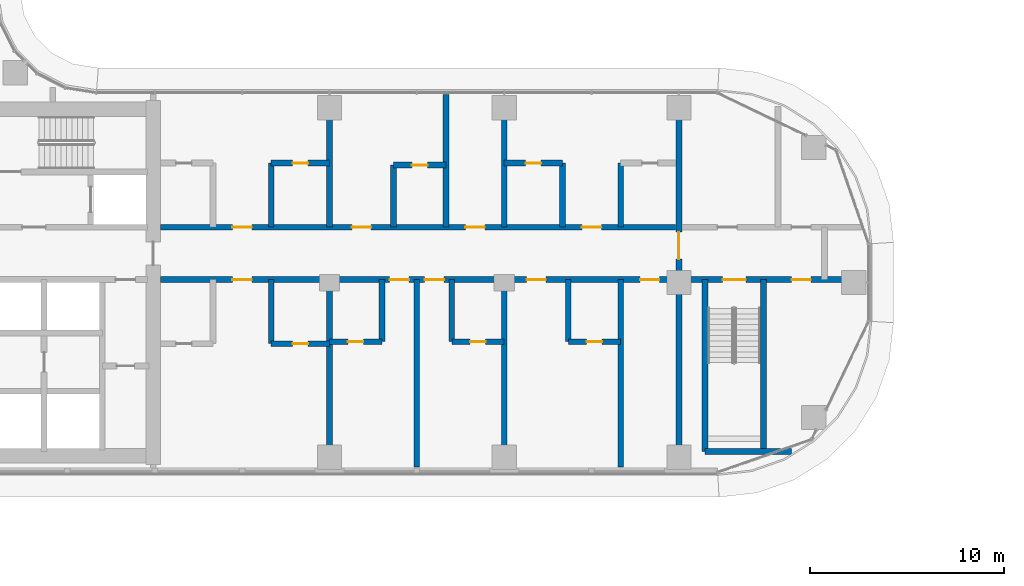
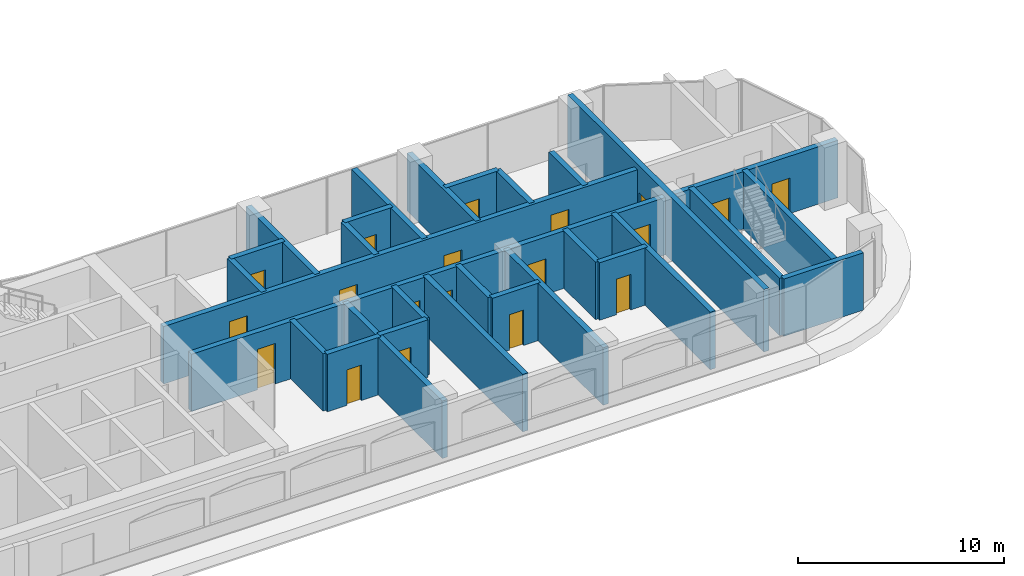
# One storey, part 22 of 40: 29 walls, 19 doors, 19 openings.
"""IFC4 building model written with IfcOpenShell, lengths in metres."""

from ifc_helpers import new_model, si_unit, direction, frame, frame_2d, origin, place, context, subcontext, project, spatial, rectangle, extrude, material, layer, layer_set, type_object, element, fill, save


model = new_model("IFC4")

# Units and contexts
model_context = context("Model", 3, precision=1e-05, world=origin(), true_north=direction((0.0, 1.0)))
body_context = subcontext(model_context, "Body", "Model", "MODEL_VIEW")
ifc_project = project(units=[si_unit("LENGTHUNIT", "METRE"), si_unit("AREAUNIT", "SQUARE_METRE"), si_unit("VOLUMEUNIT", "CUBIC_METRE"), si_unit("PLANEANGLEUNIT", "RADIAN"), si_unit("MASSUNIT", "GRAM", prefix="KILO")], contexts=[model_context])

# Site, building, storey
site_placement = place(None, origin())
site = spatial("IfcSite", under=ifc_project, at=site_placement, CompositionType="ELEMENT")
building_placement = place(site_placement, origin())
building = spatial("IfcBuilding", under=site, at=building_placement, Name="Ogive Portal Towers", CompositionType="ELEMENT")
storey_placement = place(building_placement, frame((0.0, 0.0, 87.10009765625)))
storey = spatial("IfcBuildingStorey", under=building, at=storey_placement, Name="L20", CompositionType="ELEMENT", Elevation=87.10009765625)

# Wall, opening, door
ifc_material_1 = material(Name="Concrete C60/75", Category="concrete")
ifc_layer_1 = layer(ifc_material_1, 0.300048828125)
ifc_layer_set_1 = layer_set([ifc_layer_1], Name="REVEAL WALL 300 C60")
wall_type_1 = type_object("IfcWallType", Name="REVEAL WALL 300 C60", PredefinedType="SHEAR", material=ifc_layer_set_1)
wall_1_placement = place(storey_placement, frame((85.5, 20.9951171875, 0.0), z_axis=(0.0, 0.0, 1.0), x_axis=(0.0, 1.0, 0.0)))
wall_1 = element("IfcWall", 1, at=wall_1_placement, inside=storey, type_object=wall_type_1, Name="Portal reveal wall L20", PredefinedType="SHEAR", context=body_context, shape_type="SweptSolid", body=[
    extrude(rectangle(XDim=19.009765625, YDim=0.300048828125, at=frame_2d((9.5048828125, 0.0))), origin(), (0.0, 0.0, 1.0), 3.699951171875),
])
opening_1_placement = place(wall_1_placement, frame((10.705078125, 0.0, 0.0)))
opening_1 = element("IfcOpeningElement", 2, at=opening_1_placement, cuts=wall_1, Name="Opening D07-066", PredefinedType="OPENING", context=body_context, shape_type="SweptSolid", body=[
    extrude(rectangle(XDim=1.39990234375, YDim=2.10009765625, at=frame_2d((0.699951171875, 1.050048828125))), frame((0.0, 0.16015625, 0.0), z_axis=(0.0, -1.0, 0.0), x_axis=(1.0, 0.0, 0.0)), (0.0, 0.0, 1.0), 0.320068359375),
])
ifc_material_2 = material(Name="Steel fire door", Category="steel")
door_type_1 = type_object("IfcDoorType", Name="DT-STAIR-1400x2100-FD90S", OperationType="SINGLE_SWING_LEFT", PredefinedType="DOOR", material=ifc_material_2)
door_1_placement = place(opening_1_placement, origin())
door_1 = element("IfcDoor", 3, at=door_1_placement, inside=storey, type_object=door_type_1, Name="Door D07-066", OperationType="SINGLE_SWING_RIGHT", OverallHeight=2.10009765625, OverallWidth=1.39990234375, PredefinedType="DOOR", context=body_context, shape_type="SweptSolid", body=[
    extrude(rectangle(XDim=1.39990234375, YDim=2.10009765625, at=frame_2d((0.699951171875, 1.050048828125))), frame((0.0, 0.02490234375, 0.0), z_axis=(0.0, -1.0, 0.0), x_axis=(1.0, 0.0, 0.0)), (0.0, 0.0, 1.0), 0.050048828125),
])
fill(opening_1, door_1)

# Wall
ifc_material_3 = material(Name="Concrete C50/60", Category="concrete")
ifc_layer_2 = layer(ifc_material_3, 0.300048828125)
ifc_layer_set_2 = layer_set([ifc_layer_2], Name="STAIR WALL 300 C50")
wall_type_2 = type_object("IfcWallType", Name="STAIR WALL 300 C50", PredefinedType="SHEAR", material=ifc_layer_set_2)
wall_2_placement = place(storey_placement, frame((86.85009765625, 21.800048828125, 0.0), z_axis=(0.0, 0.0, 1.0), x_axis=(1.0, 0.0, 0.0)))
element("IfcWall", 4, at=wall_2_placement, inside=storey, type_object=wall_type_2, Name="Stair wall ST-A4 L20", PredefinedType="SHEAR", context=body_context, shape_type="SweptSolid", body=[
    extrude(rectangle(XDim=4.4599609375, YDim=0.300048828125, at=frame_2d((2.22998046875, 0.0))), origin(), (0.0, 0.0, 1.0), 3.39990234375),
])

# Wall, openings, doors
wall_3_placement = place(storey_placement, frame((85.669921875, 30.64990234375, 0.0), z_axis=(0.0, 0.0, 1.0), x_axis=(1.0, 0.0, 0.0)))
wall_3 = element("IfcWall", 5, at=wall_3_placement, inside=storey, type_object=wall_type_2, Name="Stair wall ST-A4 L20", PredefinedType="SHEAR", context=body_context, shape_type="SweptSolid", body=[
    extrude(rectangle(XDim=9.3349609375, YDim=0.300048828125, at=frame_2d((4.66748046875, 0.0))), origin(), (0.0, 0.0, 1.0), 3.39990234375),
])
opening_2_placement = place(wall_3_placement, frame((2.080078125, 0.0, 0.0)))
opening_2 = element("IfcOpeningElement", 6, at=opening_2_placement, cuts=wall_3, Name="Opening D07-061", PredefinedType="OPENING", context=body_context, shape_type="SweptSolid", body=[
    extrude(rectangle(XDim=1.199951171875, YDim=2.10009765625, at=frame_2d((0.60009765625, 1.050048828125))), frame((0.0, 0.16015625, 0.0), z_axis=(0.0, -1.0, 0.0), x_axis=(1.0, 0.0, 0.0)), (0.0, 0.0, 1.0), 0.320068359375),
])
opening_3_placement = place(wall_3_placement, frame((5.6298828125, 0.0, 0.0)))
opening_3 = element("IfcOpeningElement", 7, at=opening_3_placement, cuts=wall_3, Name="Opening D07-064", PredefinedType="OPENING", context=body_context, shape_type="SweptSolid", body=[
    extrude(rectangle(XDim=1.0, YDim=2.10009765625, at=frame_2d((0.5, 1.050048828125))), frame((0.0, 0.16015625, 0.0), z_axis=(0.0, -1.0, 0.0), x_axis=(1.0, 0.0, 0.0)), (0.0, 0.0, 1.0), 0.320068359375),
])
door_type_2 = type_object("IfcDoorType", Name="DT-SERVICE-1000x2100-FD90S", OperationType="SINGLE_SWING_LEFT", PredefinedType="DOOR", material=ifc_material_2)
door_2_placement = place(opening_3_placement, origin())
door_2 = element("IfcDoor", 8, at=door_2_placement, inside=storey, type_object=door_type_2, Name="Door D07-064", OperationType="SINGLE_SWING_LEFT", OverallHeight=2.10009765625, OverallWidth=1.0, PredefinedType="DOOR", context=body_context, shape_type="SweptSolid", body=[
    extrude(rectangle(XDim=1.0, YDim=2.10009765625, at=frame_2d((0.5, 1.050048828125))), frame((0.0, 0.02490234375, 0.0), z_axis=(0.0, -1.0, 0.0), x_axis=(1.0, 0.0, 0.0)), (0.0, 0.0, 1.0), 0.050048828125),
])
fill(opening_3, door_2)
door_type_3 = type_object("IfcDoorType", Name="DT-STAIR-1200x2100-FD90S", OperationType="SINGLE_SWING_LEFT", PredefinedType="DOOR", material=ifc_material_2)
door_3_placement = place(opening_2_placement, origin())
door_3 = element("IfcDoor", 9, at=door_3_placement, inside=storey, type_object=door_type_3, Name="Door D07-061", OperationType="SINGLE_SWING_LEFT", OverallHeight=2.10009765625, OverallWidth=1.199951171875, PredefinedType="DOOR", context=body_context, shape_type="SweptSolid", body=[
    extrude(rectangle(XDim=1.199951171875, YDim=2.10009765625, at=frame_2d((0.60009765625, 1.050048828125))), frame((0.0, 0.02490234375, 0.0), z_axis=(0.0, -1.0, 0.0), x_axis=(1.0, 0.0, 0.0)), (0.0, 0.0, 1.0), 0.050048828125),
])
fill(opening_2, door_3)

# Walls
for number, where, z_axis, x_axis, name in (
    (10, (86.85009765625, 21.800048828125, 0.0), (0.0, 0.0, 1.0), (0.0, 1.0, 0.0), "Stair wall ST-A4 L20"),
    (11, (89.85009765625, 21.800048828125, 0.0), (0.0, 0.0, 1.0), (0.0, 1.0, 0.0), "Stair wall ST-A4 L20"),
):
    element("IfcWall", number, at=place(storey_placement, frame(where, z_axis=z_axis, x_axis=x_axis)), inside=storey, type_object=wall_type_2, Name=name, PredefinedType="SHEAR", context=body_context, shape_type="SweptSolid", body=[
        extrude(rectangle(XDim=8.849853515625, YDim=0.300048828125, at=frame_2d((4.4248046875, 0.0))), origin(), (0.0, 0.0, 1.0), 3.39990234375),
    ])

# Wall, openings, doors
ifc_material_4 = material(Name="Gypsum board partition on steel studs", Category="steel")
ifc_layer_3 = layer(ifc_material_4, 0.300048828125)
ifc_layer_set_3 = layer_set([ifc_layer_3], Name="WT-PART-300-EI 120")
wall_type_3 = type_object("IfcWallType", Name="WT-PART-300-EI 120", PredefinedType="PARTITIONING", material=ifc_layer_set_3)
wall_4_placement = place(storey_placement, frame((58.800048828125, 30.64990234375, 0.0), z_axis=(0.0, 0.0, 1.0), x_axis=(1.0, 0.0, 0.0)))
wall_4 = element("IfcWall", 12, at=wall_4_placement, inside=storey, type_object=wall_type_3, Name="Wall L20:w007", PredefinedType="PARTITIONING", context=body_context, shape_type="SweptSolid", body=[
    extrude(rectangle(XDim=26.530029296875, YDim=0.300048828125, at=frame_2d((13.26513671875, 0.0))), origin(), (0.0, 0.0, 1.0), 3.39990234375),
])
opening_4_placement = place(wall_4_placement, frame((3.699951171875, 0.0, 0.0)))
opening_4 = element("IfcOpeningElement", 13, at=opening_4_placement, cuts=wall_4, Name="Opening D07-031", PredefinedType="OPENING", context=body_context, shape_type="SweptSolid", body=[
    extrude(rectangle(XDim=1.0, YDim=2.39990234375, at=frame_2d((0.5, 1.199951171875))), frame((0.0, 0.16015625, 0.0), z_axis=(0.0, -1.0, 0.0), x_axis=(1.0, 0.0, 0.0)), (0.0, 0.0, 1.0), 0.320068359375),
])
opening_5_placement = place(wall_4_placement, frame((11.800048828125, 0.0, 0.0)))
opening_5 = element("IfcOpeningElement", 14, at=opening_5_placement, cuts=wall_4, Name="Opening D07-036", PredefinedType="OPENING", context=body_context, shape_type="SweptSolid", body=[
    extrude(rectangle(XDim=1.0, YDim=2.10009765625, at=frame_2d((0.5, 1.050048828125))), frame((0.0, 0.16015625, 0.0), z_axis=(0.0, -1.0, 0.0), x_axis=(1.0, 0.0, 0.0)), (0.0, 0.0, 1.0), 0.320068359375),
])
opening_6_placement = place(wall_4_placement, frame((13.60009765625, 0.0, 0.0)))
opening_6 = element("IfcOpeningElement", 15, at=opening_6_placement, cuts=wall_4, Name="Opening D07-038", PredefinedType="OPENING", context=body_context, shape_type="SweptSolid", body=[
    extrude(rectangle(XDim=1.0, YDim=2.10009765625, at=frame_2d((0.5, 1.050048828125))), frame((0.0, 0.16015625, 0.0), z_axis=(0.0, -1.0, 0.0), x_axis=(1.0, 0.0, 0.0)), (0.0, 0.0, 1.0), 0.320068359375),
])
opening_7_placement = place(wall_4_placement, frame((18.85009765625, 0.0, 0.0)))
opening_7 = element("IfcOpeningElement", 16, at=opening_7_placement, cuts=wall_4, Name="Opening D07-043", PredefinedType="OPENING", context=body_context, shape_type="SweptSolid", body=[
    extrude(rectangle(XDim=1.0, YDim=2.10009765625, at=frame_2d((0.5, 1.050048828125))), frame((0.0, 0.16015625, 0.0), z_axis=(0.0, -1.0, 0.0), x_axis=(1.0, 0.0, 0.0)), (0.0, 0.0, 1.0), 0.320068359375),
])
opening_8_placement = place(wall_4_placement, frame((24.699951171875, 0.0, 0.0)))
opening_8 = element("IfcOpeningElement", 17, at=opening_8_placement, cuts=wall_4, Name="Opening D07-044", PredefinedType="OPENING", context=body_context, shape_type="SweptSolid", body=[
    extrude(rectangle(XDim=1.0, YDim=2.10009765625, at=frame_2d((0.5, 1.050048828125))), frame((0.0, 0.16015625, 0.0), z_axis=(0.0, -1.0, 0.0), x_axis=(1.0, 0.0, 0.0)), (0.0, 0.0, 1.0), 0.320068359375),
])
door_type_4 = type_object("IfcDoorType", Name="DT-ENTRY-1000x2100-FD90S", OperationType="SINGLE_SWING_LEFT", PredefinedType="DOOR", material=ifc_material_2)
door_4_placement = place(opening_5_placement, origin())
door_4 = element("IfcDoor", 18, at=door_4_placement, inside=storey, type_object=door_type_4, Name="Door D07-036", OperationType="SINGLE_SWING_LEFT", OverallHeight=2.10009765625, OverallWidth=1.0, PredefinedType="DOOR", context=body_context, shape_type="SweptSolid", body=[
    extrude(rectangle(XDim=1.0, YDim=2.10009765625, at=frame_2d((0.5, 1.050048828125))), frame((0.0, 0.02490234375, 0.0), z_axis=(0.0, -1.0, 0.0), x_axis=(1.0, 0.0, 0.0)), (0.0, 0.0, 1.0), 0.050048828125),
])
fill(opening_5, door_4)
door_5_placement = place(opening_6_placement, origin())
door_5 = element("IfcDoor", 19, at=door_5_placement, inside=storey, type_object=door_type_4, Name="Door D07-038", OperationType="SINGLE_SWING_RIGHT", OverallHeight=2.10009765625, OverallWidth=1.0, PredefinedType="DOOR", context=body_context, shape_type="SweptSolid", body=[
    extrude(rectangle(XDim=1.0, YDim=2.10009765625, at=frame_2d((0.5, 1.050048828125))), frame((0.0, 0.02490234375, 0.0), z_axis=(0.0, -1.0, 0.0), x_axis=(1.0, 0.0, 0.0)), (0.0, 0.0, 1.0), 0.050048828125),
])
fill(opening_6, door_5)
door_6_placement = place(opening_7_placement, origin())
door_6 = element("IfcDoor", 20, at=door_6_placement, inside=storey, type_object=door_type_4, Name="Door D07-043", OperationType="SINGLE_SWING_LEFT", OverallHeight=2.10009765625, OverallWidth=1.0, PredefinedType="DOOR", context=body_context, shape_type="SweptSolid", body=[
    extrude(rectangle(XDim=1.0, YDim=2.10009765625, at=frame_2d((0.5, 1.050048828125))), frame((0.0, 0.02490234375, 0.0), z_axis=(0.0, -1.0, 0.0), x_axis=(1.0, 0.0, 0.0)), (0.0, 0.0, 1.0), 0.050048828125),
])
fill(opening_7, door_6)
door_7_placement = place(opening_8_placement, origin())
door_7 = element("IfcDoor", 21, at=door_7_placement, inside=storey, type_object=door_type_4, Name="Door D07-044", OperationType="SINGLE_SWING_LEFT", OverallHeight=2.10009765625, OverallWidth=1.0, PredefinedType="DOOR", context=body_context, shape_type="SweptSolid", body=[
    extrude(rectangle(XDim=1.0, YDim=2.10009765625, at=frame_2d((0.5, 1.050048828125))), frame((0.0, 0.02490234375, 0.0), z_axis=(0.0, -1.0, 0.0), x_axis=(1.0, 0.0, 0.0)), (0.0, 0.0, 1.0), 0.050048828125),
])
fill(opening_8, door_7)
door_type_5 = type_object("IfcDoorType", Name="DT-ENTRY-1000x2400-FD90S", OperationType="SINGLE_SWING_LEFT", PredefinedType="DOOR", material=ifc_material_2)
door_8_placement = place(opening_4_placement, origin())
door_8 = element("IfcDoor", 22, at=door_8_placement, inside=storey, type_object=door_type_5, Name="Door D07-031", OperationType="SINGLE_SWING_LEFT", OverallHeight=2.39990234375, OverallWidth=1.0, PredefinedType="DOOR", context=body_context, shape_type="SweptSolid", body=[
    extrude(rectangle(XDim=1.0, YDim=2.39990234375, at=frame_2d((0.5, 1.199951171875))), frame((0.0, 0.02490234375, 0.0), z_axis=(0.0, -1.0, 0.0), x_axis=(1.0, 0.0, 0.0)), (0.0, 0.0, 1.0), 0.050048828125),
])
fill(opening_4, door_8)

wall_5_placement = place(storey_placement, frame((58.800048828125, 33.35009765625, 0.0), z_axis=(0.0, 0.0, 1.0), x_axis=(1.0, 0.0, 0.0)))
wall_5 = element("IfcWall", 23, at=wall_5_placement, inside=storey, type_object=wall_type_3, Name="Wall L20:w009", PredefinedType="PARTITIONING", context=body_context, shape_type="SweptSolid", body=[
    extrude(rectangle(XDim=26.530029296875, YDim=0.300048828125, at=frame_2d((13.26513671875, 0.0))), origin(), (0.0, 0.0, 1.0), 3.39990234375),
])
opening_9_placement = place(wall_5_placement, frame((3.699951171875, 0.0, 0.0)))
opening_9 = element("IfcOpeningElement", 24, at=opening_9_placement, cuts=wall_5, Name="Opening D07-028", PredefinedType="OPENING", context=body_context, shape_type="SweptSolid", body=[
    extrude(rectangle(XDim=1.0, YDim=2.39990234375, at=frame_2d((0.5, 1.199951171875))), frame((0.0, 0.16015625, 0.0), z_axis=(0.0, -1.0, 0.0), x_axis=(1.0, 0.0, 0.0)), (0.0, 0.0, 1.0), 0.320068359375),
])
opening_10_placement = place(wall_5_placement, frame((9.85009765625, 0.0, 0.0)))
opening_10 = element("IfcOpeningElement", 25, at=opening_10_placement, cuts=wall_5, Name="Opening D07-033", PredefinedType="OPENING", context=body_context, shape_type="SweptSolid", body=[
    extrude(rectangle(XDim=1.0, YDim=2.10009765625, at=frame_2d((0.5, 1.050048828125))), frame((0.0, 0.16015625, 0.0), z_axis=(0.0, -1.0, 0.0), x_axis=(1.0, 0.0, 0.0)), (0.0, 0.0, 1.0), 0.320068359375),
])
opening_11_placement = place(wall_5_placement, frame((15.699951171875, 0.0, 0.0)))
opening_11 = element("IfcOpeningElement", 26, at=opening_11_placement, cuts=wall_5, Name="Opening D07-034", PredefinedType="OPENING", context=body_context, shape_type="SweptSolid", body=[
    extrude(rectangle(XDim=1.0, YDim=2.10009765625, at=frame_2d((0.5, 1.050048828125))), frame((0.0, 0.16015625, 0.0), z_axis=(0.0, -1.0, 0.0), x_axis=(1.0, 0.0, 0.0)), (0.0, 0.0, 1.0), 0.320068359375),
])
opening_12_placement = place(wall_5_placement, frame((21.699951171875, 0.0, 0.0)))
opening_12 = element("IfcOpeningElement", 27, at=opening_12_placement, cuts=wall_5, Name="Opening D07-041", PredefinedType="OPENING", context=body_context, shape_type="SweptSolid", body=[
    extrude(rectangle(XDim=1.0, YDim=2.39990234375, at=frame_2d((0.5, 1.199951171875))), frame((0.0, 0.16015625, 0.0), z_axis=(0.0, -1.0, 0.0), x_axis=(1.0, 0.0, 0.0)), (0.0, 0.0, 1.0), 0.320068359375),
])
door_9_placement = place(opening_10_placement, origin())
door_9 = element("IfcDoor", 28, at=door_9_placement, inside=storey, type_object=door_type_4, Name="Door D07-033", OperationType="SINGLE_SWING_LEFT", OverallHeight=2.10009765625, OverallWidth=1.0, PredefinedType="DOOR", context=body_context, shape_type="SweptSolid", body=[
    extrude(rectangle(XDim=1.0, YDim=2.10009765625, at=frame_2d((0.5, 1.050048828125))), frame((0.0, 0.02490234375, 0.0), z_axis=(0.0, -1.0, 0.0), x_axis=(1.0, 0.0, 0.0)), (0.0, 0.0, 1.0), 0.050048828125),
])
fill(opening_10, door_9)
door_10_placement = place(opening_11_placement, origin())
door_10 = element("IfcDoor", 29, at=door_10_placement, inside=storey, type_object=door_type_4, Name="Door D07-034", OperationType="SINGLE_SWING_RIGHT", OverallHeight=2.10009765625, OverallWidth=1.0, PredefinedType="DOOR", context=body_context, shape_type="SweptSolid", body=[
    extrude(rectangle(XDim=1.0, YDim=2.10009765625, at=frame_2d((0.5, 1.050048828125))), frame((0.0, 0.02490234375, 0.0), z_axis=(0.0, -1.0, 0.0), x_axis=(1.0, 0.0, 0.0)), (0.0, 0.0, 1.0), 0.050048828125),
])
fill(opening_11, door_10)
door_11_placement = place(opening_9_placement, origin())
door_11 = element("IfcDoor", 30, at=door_11_placement, inside=storey, type_object=door_type_5, Name="Door D07-028", OperationType="SINGLE_SWING_LEFT", OverallHeight=2.39990234375, OverallWidth=1.0, PredefinedType="DOOR", context=body_context, shape_type="SweptSolid", body=[
    extrude(rectangle(XDim=1.0, YDim=2.39990234375, at=frame_2d((0.5, 1.199951171875))), frame((0.0, 0.02490234375, 0.0), z_axis=(0.0, -1.0, 0.0), x_axis=(1.0, 0.0, 0.0)), (0.0, 0.0, 1.0), 0.050048828125),
])
fill(opening_9, door_11)
door_12_placement = place(opening_12_placement, origin())
door_12 = element("IfcDoor", 31, at=door_12_placement, inside=storey, type_object=door_type_5, Name="Door D07-041", OperationType="SINGLE_SWING_LEFT", OverallHeight=2.39990234375, OverallWidth=1.0, PredefinedType="DOOR", context=body_context, shape_type="SweptSolid", body=[
    extrude(rectangle(XDim=1.0, YDim=2.39990234375, at=frame_2d((0.5, 1.199951171875))), frame((0.0, 0.02490234375, 0.0), z_axis=(0.0, -1.0, 0.0), x_axis=(1.0, 0.0, 0.0)), (0.0, 0.0, 1.0), 0.050048828125),
])
fill(opening_12, door_12)

# Wall, opening, door
ifc_layer_4 = layer(ifc_material_4, 0.300048828125)
ifc_layer_set_4 = layer_set([ifc_layer_4], Name="WT-PART-300-EI 60")
wall_type_4 = type_object("IfcWallType", Name="WT-PART-300-EI 60", PredefinedType="PARTITIONING", material=ifc_layer_set_4)
wall_6_placement = place(storey_placement, frame((64.5, 27.35009765625, 0.0), z_axis=(0.0, 0.0, 1.0), x_axis=(1.0, 0.0, 0.0)))
wall_6 = element("IfcWall", 32, at=wall_6_placement, inside=storey, type_object=wall_type_4, Name="Wall L20:w003", PredefinedType="PARTITIONING", context=body_context, shape_type="SweptSolid", body=[
    extrude(rectangle(XDim=3.0, YDim=0.300048828125, at=frame_2d((1.5, 0.0))), origin(), (0.0, 0.0, 1.0), 3.39990234375),
])
opening_13_placement = place(wall_6_placement, frame((1.10009765625, 0.0, 0.0)))
opening_13 = element("IfcOpeningElement", 33, at=opening_13_placement, cuts=wall_6, Name="Opening D07-030", PredefinedType="OPENING", context=body_context, shape_type="SweptSolid", body=[
    extrude(rectangle(XDim=0.800048828125, YDim=2.10009765625, at=frame_2d((0.39990234375, 1.050048828125))), frame((0.0, 0.16015625, 0.0), z_axis=(0.0, -1.0, 0.0), x_axis=(1.0, 0.0, 0.0)), (0.0, 0.0, 1.0), 0.320068359375),
])
door_type_6 = type_object("IfcDoorType", Name="DT-BATH-800x2100-FD60S", OperationType="SINGLE_SWING_LEFT", PredefinedType="DOOR", material=ifc_material_2)
door_13_placement = place(opening_13_placement, origin())
door_13 = element("IfcDoor", 34, at=door_13_placement, inside=storey, type_object=door_type_6, Name="Door D07-030", OperationType="SINGLE_SWING_RIGHT", OverallHeight=2.10009765625, OverallWidth=0.800048828125, PredefinedType="DOOR", context=body_context, shape_type="SweptSolid", body=[
    extrude(rectangle(XDim=0.800048828125, YDim=2.10009765625, at=frame_2d((0.39990234375, 1.050048828125))), frame((0.0, 0.02490234375, 0.0), z_axis=(0.0, -1.0, 0.0), x_axis=(1.0, 0.0, 0.0)), (0.0, 0.0, 1.0), 0.050048828125),
])
fill(opening_13, door_13)

wall_7_placement = place(storey_placement, frame((67.5, 27.449951171875, 0.0), z_axis=(0.0, 0.0, 1.0), x_axis=(1.0, 0.0, 0.0)))
wall_7 = element("IfcWall", 35, at=wall_7_placement, inside=storey, type_object=wall_type_4, Name="Wall L20:w004", PredefinedType="PARTITIONING", context=body_context, shape_type="SweptSolid", body=[
    extrude(rectangle(XDim=2.699951171875, YDim=0.300048828125, at=frame_2d((1.35009765625, 0.0))), origin(), (0.0, 0.0, 1.0), 3.39990234375),
])
opening_14_placement = place(wall_7_placement, frame((0.949951171875, 0.0, 0.0)))
opening_14 = element("IfcOpeningElement", 36, at=opening_14_placement, cuts=wall_7, Name="Opening D07-035", PredefinedType="OPENING", context=body_context, shape_type="SweptSolid", body=[
    extrude(rectangle(XDim=0.800048828125, YDim=2.10009765625, at=frame_2d((0.39990234375, 1.050048828125))), frame((0.0, 0.16015625, 0.0), z_axis=(0.0, -1.0, 0.0), x_axis=(1.0, 0.0, 0.0)), (0.0, 0.0, 1.0), 0.320068359375),
])
door_14_placement = place(opening_14_placement, origin())
door_14 = element("IfcDoor", 37, at=door_14_placement, inside=storey, type_object=door_type_6, Name="Door D07-035", OperationType="SINGLE_SWING_LEFT", OverallHeight=2.10009765625, OverallWidth=0.800048828125, PredefinedType="DOOR", context=body_context, shape_type="SweptSolid", body=[
    extrude(rectangle(XDim=0.800048828125, YDim=2.10009765625, at=frame_2d((0.39990234375, 1.050048828125))), frame((0.0, 0.02490234375, 0.0), z_axis=(0.0, -1.0, 0.0), x_axis=(1.0, 0.0, 0.0)), (0.0, 0.0, 1.0), 0.050048828125),
])
fill(opening_14, door_14)

wall_8_placement = place(storey_placement, frame((73.800048828125, 27.449951171875, 0.0), z_axis=(0.0, 0.0, 1.0), x_axis=(1.0, 0.0, 0.0)))
wall_8 = element("IfcWall", 38, at=wall_8_placement, inside=storey, type_object=wall_type_4, Name="Wall L20:w005", PredefinedType="PARTITIONING", context=body_context, shape_type="SweptSolid", body=[
    extrude(rectangle(XDim=2.699951171875, YDim=0.300048828125, at=frame_2d((1.35009765625, 0.0))), origin(), (0.0, 0.0, 1.0), 3.39990234375),
])
opening_15_placement = place(wall_8_placement, frame((0.949951171875, 0.0, 0.0)))
opening_15 = element("IfcOpeningElement", 39, at=opening_15_placement, cuts=wall_8, Name="Opening D07-037", PredefinedType="OPENING", context=body_context, shape_type="SweptSolid", body=[
    extrude(rectangle(XDim=0.800048828125, YDim=2.10009765625, at=frame_2d((0.39990234375, 1.050048828125))), frame((0.0, 0.16015625, 0.0), z_axis=(0.0, -1.0, 0.0), x_axis=(1.0, 0.0, 0.0)), (0.0, 0.0, 1.0), 0.320068359375),
])
door_15_placement = place(opening_15_placement, origin())
door_15 = element("IfcDoor", 40, at=door_15_placement, inside=storey, type_object=door_type_6, Name="Door D07-037", OperationType="SINGLE_SWING_LEFT", OverallHeight=2.10009765625, OverallWidth=0.800048828125, PredefinedType="DOOR", context=body_context, shape_type="SweptSolid", body=[
    extrude(rectangle(XDim=0.800048828125, YDim=2.10009765625, at=frame_2d((0.39990234375, 1.050048828125))), frame((0.0, 0.02490234375, 0.0), z_axis=(0.0, -1.0, 0.0), x_axis=(1.0, 0.0, 0.0)), (0.0, 0.0, 1.0), 0.050048828125),
])
fill(opening_15, door_15)

wall_9_placement = place(storey_placement, frame((79.800048828125, 27.449951171875, 0.0), z_axis=(0.0, 0.0, 1.0), x_axis=(1.0, 0.0, 0.0)))
wall_9 = element("IfcWall", 41, at=wall_9_placement, inside=storey, type_object=wall_type_4, Name="Wall L20:w006", PredefinedType="PARTITIONING", context=body_context, shape_type="SweptSolid", body=[
    extrude(rectangle(XDim=2.699951171875, YDim=0.300048828125, at=frame_2d((1.35009765625, 0.0))), origin(), (0.0, 0.0, 1.0), 3.39990234375),
])
opening_16_placement = place(wall_9_placement, frame((0.949951171875, 0.0, 0.0)))
opening_16 = element("IfcOpeningElement", 42, at=opening_16_placement, cuts=wall_9, Name="Opening D07-042", PredefinedType="OPENING", context=body_context, shape_type="SweptSolid", body=[
    extrude(rectangle(XDim=0.800048828125, YDim=2.10009765625, at=frame_2d((0.39990234375, 1.050048828125))), frame((0.0, 0.16015625, 0.0), z_axis=(0.0, -1.0, 0.0), x_axis=(1.0, 0.0, 0.0)), (0.0, 0.0, 1.0), 0.320068359375),
])
door_16_placement = place(opening_16_placement, origin())
door_16 = element("IfcDoor", 43, at=door_16_placement, inside=storey, type_object=door_type_6, Name="Door D07-042", OperationType="SINGLE_SWING_RIGHT", OverallHeight=2.10009765625, OverallWidth=0.800048828125, PredefinedType="DOOR", context=body_context, shape_type="SweptSolid", body=[
    extrude(rectangle(XDim=0.800048828125, YDim=2.10009765625, at=frame_2d((0.39990234375, 1.050048828125))), frame((0.0, 0.02490234375, 0.0), z_axis=(0.0, -1.0, 0.0), x_axis=(1.0, 0.0, 0.0)), (0.0, 0.0, 1.0), 0.050048828125),
])
fill(opening_16, door_16)

wall_10_placement = place(storey_placement, frame((70.800048828125, 36.550048828125, 0.0), z_axis=(0.0, 0.0, 1.0), x_axis=(1.0, 0.0, 0.0)))
wall_10 = element("IfcWall", 44, at=wall_10_placement, inside=storey, type_object=wall_type_4, Name="Wall L20:w011", PredefinedType="PARTITIONING", context=body_context, shape_type="SweptSolid", body=[
    extrude(rectangle(XDim=2.699951171875, YDim=0.300048828125, at=frame_2d((1.35009765625, 0.0))), origin(), (0.0, 0.0, 1.0), 3.39990234375),
])
opening_17_placement = place(wall_10_placement, frame((0.949951171875, 0.0, 0.0)))
opening_17 = element("IfcOpeningElement", 45, at=opening_17_placement, cuts=wall_10, Name="Opening D07-032", PredefinedType="OPENING", context=body_context, shape_type="SweptSolid", body=[
    extrude(rectangle(XDim=0.800048828125, YDim=2.10009765625, at=frame_2d((0.39990234375, 1.050048828125))), frame((0.0, 0.16015625, 0.0), z_axis=(0.0, -1.0, 0.0), x_axis=(1.0, 0.0, 0.0)), (0.0, 0.0, 1.0), 0.320068359375),
])
door_17_placement = place(opening_17_placement, origin())
door_17 = element("IfcDoor", 46, at=door_17_placement, inside=storey, type_object=door_type_6, Name="Door D07-032", OperationType="SINGLE_SWING_LEFT", OverallHeight=2.10009765625, OverallWidth=0.800048828125, PredefinedType="DOOR", context=body_context, shape_type="SweptSolid", body=[
    extrude(rectangle(XDim=0.800048828125, YDim=2.10009765625, at=frame_2d((0.39990234375, 1.050048828125))), frame((0.0, 0.02490234375, 0.0), z_axis=(0.0, -1.0, 0.0), x_axis=(1.0, 0.0, 0.0)), (0.0, 0.0, 1.0), 0.050048828125),
])
fill(opening_17, door_17)

wall_11_placement = place(storey_placement, frame((64.5, 36.64990234375, 0.0), z_axis=(0.0, 0.0, 1.0), x_axis=(1.0, 0.0, 0.0)))
wall_11 = element("IfcWall", 47, at=wall_11_placement, inside=storey, type_object=wall_type_4, Name="Wall L20:w013", PredefinedType="PARTITIONING", context=body_context, shape_type="SweptSolid", body=[
    extrude(rectangle(XDim=3.0, YDim=0.300048828125, at=frame_2d((1.5, 0.0))), origin(), (0.0, 0.0, 1.0), 3.39990234375),
])
opening_18_placement = place(wall_11_placement, frame((1.10009765625, 0.0, 0.0)))
opening_18 = element("IfcOpeningElement", 48, at=opening_18_placement, cuts=wall_11, Name="Opening D07-027", PredefinedType="OPENING", context=body_context, shape_type="SweptSolid", body=[
    extrude(rectangle(XDim=0.800048828125, YDim=2.10009765625, at=frame_2d((0.39990234375, 1.050048828125))), frame((0.0, 0.16015625, 0.0), z_axis=(0.0, -1.0, 0.0), x_axis=(1.0, 0.0, 0.0)), (0.0, 0.0, 1.0), 0.320068359375),
])
door_18_placement = place(opening_18_placement, origin())
door_18 = element("IfcDoor", 49, at=door_18_placement, inside=storey, type_object=door_type_6, Name="Door D07-027", OperationType="SINGLE_SWING_RIGHT", OverallHeight=2.10009765625, OverallWidth=0.800048828125, PredefinedType="DOOR", context=body_context, shape_type="SweptSolid", body=[
    extrude(rectangle(XDim=0.800048828125, YDim=2.10009765625, at=frame_2d((0.39990234375, 1.050048828125))), frame((0.0, 0.02490234375, 0.0), z_axis=(0.0, -1.0, 0.0), x_axis=(1.0, 0.0, 0.0)), (0.0, 0.0, 1.0), 0.050048828125),
])
fill(opening_18, door_18)

wall_12_placement = place(storey_placement, frame((76.5, 36.64990234375, 0.0), z_axis=(0.0, 0.0, 1.0), x_axis=(1.0, 0.0, 0.0)))
wall_12 = element("IfcWall", 50, at=wall_12_placement, inside=storey, type_object=wall_type_4, Name="Wall L20:w014", PredefinedType="PARTITIONING", context=body_context, shape_type="SweptSolid", body=[
    extrude(rectangle(XDim=3.0, YDim=0.300048828125, at=frame_2d((1.5, 0.0))), origin(), (0.0, 0.0, 1.0), 3.39990234375),
])
opening_19_placement = place(wall_12_placement, frame((1.10009765625, 0.0, 0.0)))
opening_19 = element("IfcOpeningElement", 51, at=opening_19_placement, cuts=wall_12, Name="Opening D07-039", PredefinedType="OPENING", context=body_context, shape_type="SweptSolid", body=[
    extrude(rectangle(XDim=0.800048828125, YDim=2.10009765625, at=frame_2d((0.39990234375, 1.050048828125))), frame((0.0, 0.16015625, 0.0), z_axis=(0.0, -1.0, 0.0), x_axis=(1.0, 0.0, 0.0)), (0.0, 0.0, 1.0), 0.320068359375),
])
door_19_placement = place(opening_19_placement, origin())
door_19 = element("IfcDoor", 52, at=door_19_placement, inside=storey, type_object=door_type_6, Name="Door D07-039", OperationType="SINGLE_SWING_RIGHT", OverallHeight=2.10009765625, OverallWidth=0.800048828125, PredefinedType="DOOR", context=body_context, shape_type="SweptSolid", body=[
    extrude(rectangle(XDim=0.800048828125, YDim=2.10009765625, at=frame_2d((0.39990234375, 1.050048828125))), frame((0.0, 0.02490234375, 0.0), z_axis=(0.0, -1.0, 0.0), x_axis=(1.0, 0.0, 0.0)), (0.0, 0.0, 1.0), 0.050048828125),
])
fill(opening_19, door_19)

# Walls
for number, where, z_axis, x_axis, name in (
    (53, (64.5, 27.35009765625, 0.0), (0.0, 0.0, 1.0), (0.0, 1.0, 0.0), "Wall L20:w046"),
    (54, (64.5, 33.35009765625, 0.0), (0.0, 0.0, 1.0), (0.0, 1.0, 0.0), "Wall L20:w047"),
):
    element("IfcWall", number, at=place(storey_placement, frame(where, z_axis=z_axis, x_axis=x_axis)), inside=storey, type_object=wall_type_4, Name=name, PredefinedType="PARTITIONING", context=body_context, shape_type="SweptSolid", body=[
        extrude(rectangle(XDim=3.2998046875, YDim=0.300048828125, at=frame_2d((1.64990234375, 0.0))), origin(), (0.0, 0.0, 1.0), 3.39990234375),
    ])
wall_13_placement = place(storey_placement, frame((67.5, 20.9951171875, 0.0), z_axis=(0.0, 0.0, 1.0), x_axis=(0.0, 1.0, 0.0)))
element("IfcWall", 55, at=wall_13_placement, inside=storey, type_object=wall_type_4, Name="Wall L20:w048", PredefinedType="PARTITIONING", context=body_context, shape_type="SweptSolid", body=[
    extrude(rectangle(XDim=9.65478515625, YDim=0.300048828125, at=frame_2d((4.827392578125, 0.0))), origin(), (0.0, 0.0, 1.0), 3.39990234375),
])
wall_14_placement = place(storey_placement, frame((67.5, 33.35009765625, 0.0), z_axis=(0.0, 0.0, 1.0), x_axis=(0.0, 1.0, 0.0)))
element("IfcWall", 56, at=wall_14_placement, inside=storey, type_object=wall_type_4, Name="Wall L20:w049", PredefinedType="PARTITIONING", context=body_context, shape_type="SweptSolid", body=[
    extrude(rectangle(XDim=6.65478515625, YDim=0.300048828125, at=frame_2d((3.327392578125, 0.0))), origin(), (0.0, 0.0, 1.0), 3.39990234375),
])
for number, where, z_axis, x_axis, name in (
    (57, (70.199951171875, 27.449951171875, 0.0), (0.0, 0.0, 1.0), (0.0, 1.0, 0.0), "Wall L20:w050"),
    (58, (70.800048828125, 33.35009765625, 0.0), (0.0, 0.0, 1.0), (0.0, 1.0, 0.0), "Wall L20:w051"),
):
    element("IfcWall", number, at=place(storey_placement, frame(where, z_axis=z_axis, x_axis=x_axis)), inside=storey, type_object=wall_type_4, Name=name, PredefinedType="PARTITIONING", context=body_context, shape_type="SweptSolid", body=[
        extrude(rectangle(XDim=3.199951171875, YDim=0.300048828125, at=frame_2d((1.60009765625, 0.0))), origin(), (0.0, 0.0, 1.0), 3.39990234375),
    ])
wall_15_placement = place(storey_placement, frame((72.0, 20.9951171875, 0.0), z_axis=(0.0, 0.0, 1.0), x_axis=(0.0, 1.0, 0.0)))
element("IfcWall", 59, at=wall_15_placement, inside=storey, type_object=wall_type_4, Name="Wall L20:w052", PredefinedType="PARTITIONING", context=body_context, shape_type="SweptSolid", body=[
    extrude(rectangle(XDim=9.65478515625, YDim=0.300048828125, at=frame_2d((4.827392578125, 0.0))), origin(), (0.0, 0.0, 1.0), 3.39990234375),
])
wall_16_placement = place(storey_placement, frame((73.5, 33.35009765625, 0.0), z_axis=(0.0, 0.0, 1.0), x_axis=(0.0, 1.0, 0.0)))
element("IfcWall", 60, at=wall_16_placement, inside=storey, type_object=wall_type_4, Name="Wall L20:w053", PredefinedType="PARTITIONING", context=body_context, shape_type="SweptSolid", body=[
    extrude(rectangle(XDim=6.8349609375, YDim=0.300048828125, at=frame_2d((3.41748046875, 0.0))), origin(), (0.0, 0.0, 1.0), 3.39990234375),
])
wall_17_placement = place(storey_placement, frame((73.800048828125, 27.449951171875, 0.0), z_axis=(0.0, 0.0, 1.0), x_axis=(0.0, 1.0, 0.0)))
element("IfcWall", 61, at=wall_17_placement, inside=storey, type_object=wall_type_4, Name="Wall L20:w054", PredefinedType="PARTITIONING", context=body_context, shape_type="SweptSolid", body=[
    extrude(rectangle(XDim=3.199951171875, YDim=0.300048828125, at=frame_2d((1.60009765625, 0.0))), origin(), (0.0, 0.0, 1.0), 3.39990234375),
])
wall_18_placement = place(storey_placement, frame((76.5, 20.9951171875, 0.0), z_axis=(0.0, 0.0, 1.0), x_axis=(0.0, 1.0, 0.0)))
element("IfcWall", 62, at=wall_18_placement, inside=storey, type_object=wall_type_4, Name="Wall L20:w055", PredefinedType="PARTITIONING", context=body_context, shape_type="SweptSolid", body=[
    extrude(rectangle(XDim=9.65478515625, YDim=0.300048828125, at=frame_2d((4.827392578125, 0.0))), origin(), (0.0, 0.0, 1.0), 3.39990234375),
])
wall_19_placement = place(storey_placement, frame((76.5, 33.35009765625, 0.0), z_axis=(0.0, 0.0, 1.0), x_axis=(0.0, 1.0, 0.0)))
element("IfcWall", 63, at=wall_19_placement, inside=storey, type_object=wall_type_4, Name="Wall L20:w056", PredefinedType="PARTITIONING", context=body_context, shape_type="SweptSolid", body=[
    extrude(rectangle(XDim=6.65478515625, YDim=0.300048828125, at=frame_2d((3.327392578125, 0.0))), origin(), (0.0, 0.0, 1.0), 3.39990234375),
])
wall_20_placement = place(storey_placement, frame((79.5, 33.35009765625, 0.0), z_axis=(0.0, 0.0, 1.0), x_axis=(0.0, 1.0, 0.0)))
element("IfcWall", 64, at=wall_20_placement, inside=storey, type_object=wall_type_4, Name="Wall L20:w057", PredefinedType="PARTITIONING", context=body_context, shape_type="SweptSolid", body=[
    extrude(rectangle(XDim=3.2998046875, YDim=0.300048828125, at=frame_2d((1.64990234375, 0.0))), origin(), (0.0, 0.0, 1.0), 3.39990234375),
])
wall_21_placement = place(storey_placement, frame((79.800048828125, 27.449951171875, 0.0), z_axis=(0.0, 0.0, 1.0), x_axis=(0.0, 1.0, 0.0)))
element("IfcWall", 65, at=wall_21_placement, inside=storey, type_object=wall_type_4, Name="Wall L20:w058", PredefinedType="PARTITIONING", context=body_context, shape_type="SweptSolid", body=[
    extrude(rectangle(XDim=3.199951171875, YDim=0.300048828125, at=frame_2d((1.60009765625, 0.0))), origin(), (0.0, 0.0, 1.0), 3.39990234375),
])
wall_22_placement = place(storey_placement, frame((82.5, 20.9951171875, 0.0), z_axis=(0.0, 0.0, 1.0), x_axis=(0.0, 1.0, 0.0)))
element("IfcWall", 66, at=wall_22_placement, inside=storey, type_object=wall_type_4, Name="Wall L20:w059", PredefinedType="PARTITIONING", context=body_context, shape_type="SweptSolid", body=[
    extrude(rectangle(XDim=9.65478515625, YDim=0.300048828125, at=frame_2d((4.827392578125, 0.0))), origin(), (0.0, 0.0, 1.0), 3.39990234375),
])
wall_23_placement = place(storey_placement, frame((82.5, 33.35009765625, 0.0), z_axis=(0.0, 0.0, 1.0), x_axis=(0.0, 1.0, 0.0)))
element("IfcWall", 67, at=wall_23_placement, inside=storey, type_object=wall_type_4, Name="Wall L20:w060", PredefinedType="PARTITIONING", context=body_context, shape_type="SweptSolid", body=[
    extrude(rectangle(XDim=3.2998046875, YDim=0.300048828125, at=frame_2d((1.64990234375, 0.0))), origin(), (0.0, 0.0, 1.0), 3.39990234375),
])

save(model, "model.ifc")
